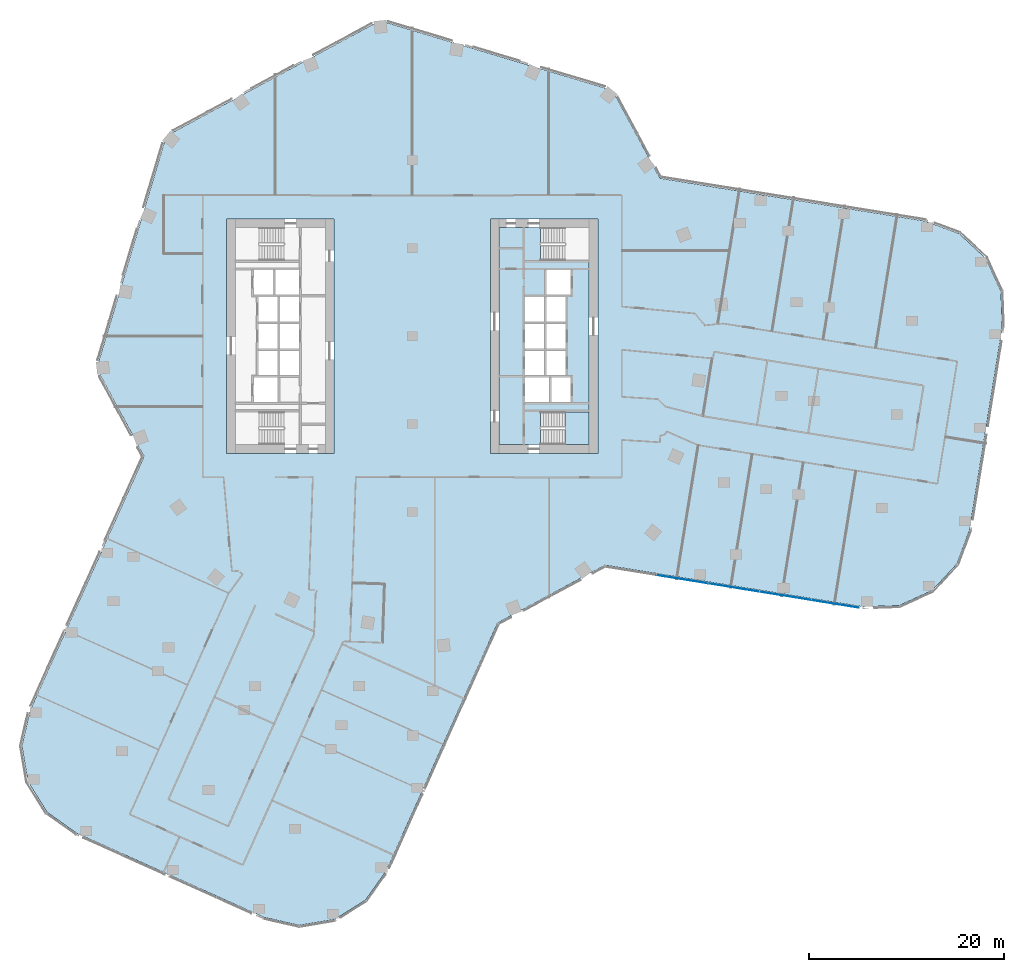
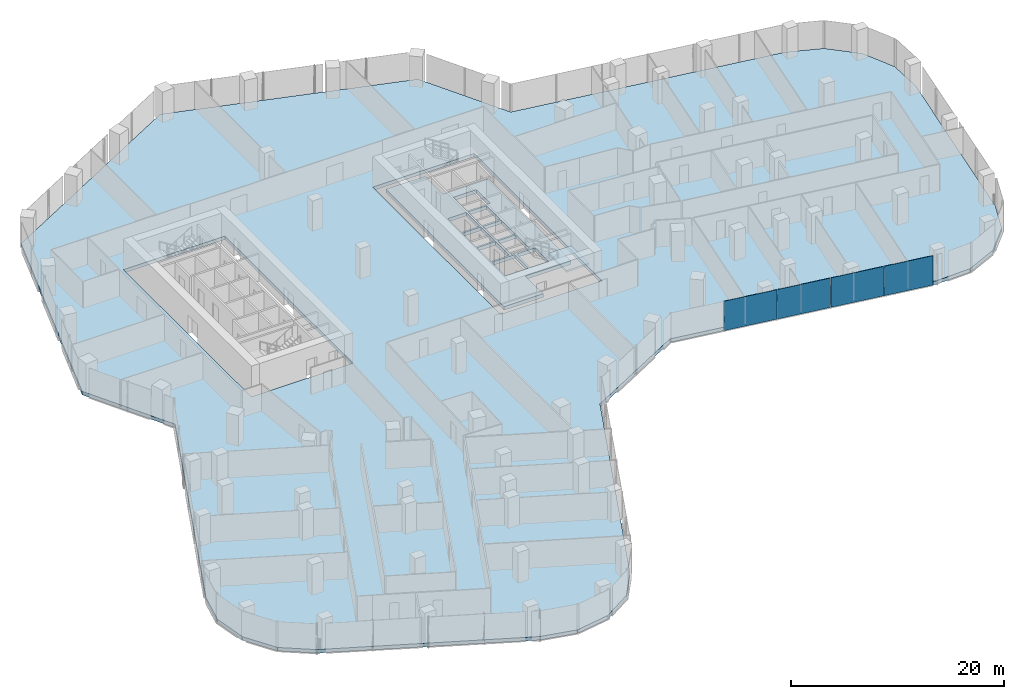
# One storey, part 21 of 34: 4 plates, 3 slabs, 2 elements without a shape of their own.
"""IFC4 building model written with IfcOpenShell, lengths in metres."""

from ifc_helpers import new_model, si_unit, direction, frame, origin, origin_2d, place, context, subcontext, project, spatial, polyline, rectangle, outline, extrude, material, layer, layer_set, type_object, element, aggregate, save


model = new_model("IFC4")

# Units and contexts
model_context = context("Model", 3, precision=1e-05, world=origin(), true_north=direction((0.0, 1.0)))
body_context = subcontext(model_context, "Body", "Model", "MODEL_VIEW")
ifc_project = project(units=[si_unit("LENGTHUNIT", "METRE"), si_unit("AREAUNIT", "SQUARE_METRE"), si_unit("VOLUMEUNIT", "CUBIC_METRE"), si_unit("PLANEANGLEUNIT", "RADIAN"), si_unit("MASSUNIT", "GRAM", prefix="KILO")], contexts=[model_context])

# Site, building, storey
site_placement = place(None, origin())
site = spatial("IfcSite", under=ifc_project, at=site_placement, CompositionType="ELEMENT")
building_placement = place(site_placement, origin())
building = spatial("IfcBuilding", under=site, at=building_placement, Name="Orlundy Tower", CompositionType="ELEMENT")
storey_placement = place(building_placement, frame((0.0, 0.0, 130.699951171875)))
storey = spatial("IfcBuildingStorey", under=building, at=storey_placement, Name="L33", CompositionType="ELEMENT", Elevation=130.699951171875)

# Curtain wall, plates
ifc_material_1 = material(Name="Aluminium bronze anodised", Category="aluminium")
curtain_wall_type = type_object("IfcCurtainWallType", Name="CW1 wall", PredefinedType="NOTDEFINED", material=ifc_material_1)
curtain_wall_placement = place(storey_placement, origin())
curtain_wall = element("IfcCurtainWall", 1, at=curtain_wall_placement, inside=storey, type_object=curtain_wall_type, Name="CW1 run 016", PredefinedType="NOTDEFINED")
ifc_material_2 = material(Name="Tinted glass", Category="glass")
ifc_layer_1 = layer(ifc_material_2, 0.031982421875)
ifc_layer_set_1 = layer_set([ifc_layer_1], Name="CW1 glass panel 32")
plate_type = type_object("IfcPlateType", Name="CW1 glass panel 32", PredefinedType="CURTAIN_PANEL", material=ifc_layer_set_1)
plate_1_placement = place(storey_placement, frame((43.31005859375, -27.413818359375, -0.27978515625), z_axis=(0.0, 0.0, 1.0), x_axis=(-0.987228432558, 0.159311085453, 0.0)))
plate_1 = element("IfcPlate", 2, at=plate_1_placement, type_object=plate_type, Name="CW1 panel", PredefinedType="CURTAIN_PANEL", context=body_context, shape_type="SweptSolid", body=[
    extrude(rectangle(XDim=4.91259765625, YDim=0.031982421875, at=origin_2d()), origin(), (0.0, 0.0, 1.0), 3.3798828125),
])
plate_2_placement = place(storey_placement, frame((38.21630859375, -26.591796875, -0.27978515625), z_axis=(0.0, 0.0, 1.0), x_axis=(-0.987228432558, 0.159311085453, 0.0)))
plate_2 = element("IfcPlate", 3, at=plate_2_placement, type_object=plate_type, Name="CW1 panel", PredefinedType="CURTAIN_PANEL", context=body_context, shape_type="SweptSolid", body=[
    extrude(rectangle(XDim=5.306884765625, YDim=0.031982421875, at=origin_2d()), origin(), (0.0, 0.0, 1.0), 3.3798828125),
])
plate_3_placement = place(storey_placement, frame((32.927978515625, -25.738525390625, -0.27978515625), z_axis=(0.0, 0.0, 1.0), x_axis=(-0.987228432558, 0.159311085453, 0.0)))
plate_3 = element("IfcPlate", 4, at=plate_3_placement, type_object=plate_type, Name="CW1 panel", PredefinedType="CURTAIN_PANEL", context=body_context, shape_type="SweptSolid", body=[
    extrude(rectangle(XDim=5.306884765625, YDim=0.031982421875, at=origin_2d()), origin(), (0.0, 0.0, 1.0), 3.3798828125),
])
plate_4_placement = place(storey_placement, frame((27.639404296875, -24.885009765625, -0.27978515625), z_axis=(0.0, 0.0, 1.0), x_axis=(-0.987228432558, 0.159311085453, 0.0)))
plate_4 = element("IfcPlate", 5, at=plate_4_placement, type_object=plate_type, Name="CW1 panel", PredefinedType="CURTAIN_PANEL", context=body_context, shape_type="SweptSolid", body=[
    extrude(rectangle(XDim=5.306884765625, YDim=0.031982421875, at=origin_2d()), origin(), (0.0, 0.0, 1.0), 3.3798828125),
])
aggregate(curtain_wall, [plate_1, plate_2, plate_3, plate_4])

# Slab
ifc_material_3 = material(Name="Concrete C50/60", Category="concrete")
ifc_layer_2 = layer(ifc_material_3, 0.409912109375)
ifc_layer_set_2 = layer_set([ifc_layer_2], Name="Core Floor Slab 410")
slab_type_1 = type_object("IfcSlabType", Name="Core Floor Slab 410", PredefinedType="FLOOR", material=ifc_layer_set_2)
slab_1_placement = place(storey_placement, frame((0.0, 0.0, -0.409912109375)))
element("IfcSlab", 6, at=slab_1_placement, inside=storey, type_object=slab_type_1, Name="Core floor E25", PredefinedType="FLOOR", context=body_context, shape_type="SweptSolid", body=[
    extrude(outline(polyline([(13.14501953125, -7.75), (13.14501953125, -11.10009765625), (8.89990234375, -11.10009765625), (8.89990234375, 11.10009765625), (13.14501953125, 11.10009765625), (13.14501953125, 7.75), (18.10009765625, 7.75), (18.10009765625, -7.75), (13.14501953125, -7.75)]), holes=[polyline([(16.239990234375, 6.77490234375), (13.739990234375, 6.77490234375), (13.739990234375, 4.22509765625), (16.239990234375, 4.22509765625), (16.239990234375, 6.77490234375)]), polyline([(13.5400390625, 1.47509765625), (13.5400390625, 4.02490234375), (11.5400390625, 4.02490234375), (11.5400390625, 1.47509765625), (13.5400390625, 1.47509765625)]), polyline([(13.739990234375, 1.47509765625), (15.739990234375, 1.47509765625), (15.739990234375, 4.02490234375), (13.739990234375, 4.02490234375), (13.739990234375, 1.47509765625)]), polyline([(11.5400390625, 1.27490234375), (11.5400390625, -1.27490234375), (13.5400390625, -1.27490234375), (13.5400390625, 1.27490234375), (11.5400390625, 1.27490234375)]), polyline([(15.739990234375, 1.27490234375), (13.739990234375, 1.27490234375), (13.739990234375, -1.27490234375), (15.739990234375, -1.27490234375), (15.739990234375, 1.27490234375)]), polyline([(13.5400390625, -4.02490234375), (13.5400390625, -1.47509765625), (11.5400390625, -1.47509765625), (11.5400390625, -4.02490234375), (13.5400390625, -4.02490234375)]), polyline([(13.739990234375, -4.02490234375), (15.739990234375, -4.02490234375), (15.739990234375, -1.47509765625), (13.739990234375, -1.47509765625), (13.739990234375, -4.02490234375)]), polyline([(11.5400390625, -4.22509765625), (11.5400390625, -6.77490234375), (14.0400390625, -6.77490234375), (14.0400390625, -4.22509765625), (11.5400390625, -4.22509765625)]), polyline([(16.239990234375, -4.22509765625), (14.239990234375, -4.22509765625), (14.239990234375, -6.77490234375), (16.239990234375, -6.77490234375), (16.239990234375, -4.22509765625)])]), origin(), (0.0, 0.0, 1.0), 0.409912109375),
])

# Stair, slab
ifc_material_4 = material(Name="Concrete C50/60", Category="concrete")
stair_type = type_object("IfcStairType", Name="Exit Stair 20 risers", PredefinedType="HALF_TURN_STAIR", material=ifc_material_4)
stair_placement = place(storey_placement, origin())
stair = element("IfcStair", 7, at=stair_placement, inside=storey, type_object=stair_type, Name="L33 Exit Stair ST-E1", PredefinedType="HALF_TURN_STAIR")
ifc_material_5 = material(Name="Concrete C50/60", Category="concrete")
ifc_layer_3 = layer(ifc_material_5, 0.199951171875)
ifc_layer_set_3 = layer_set([ifc_layer_3], Name="Exit Stair Landing")
slab_type_2 = type_object("IfcSlabType", Name="Exit Stair Landing", PredefinedType="LANDING", material=ifc_layer_set_3)
slab_2_placement = place(storey_placement, frame((0.0, 0.0, 1.550048828125)))
slab_2 = element("IfcSlab", 8, at=slab_2_placement, type_object=slab_type_2, Name="ST-E1 landing 1", PredefinedType="LANDING", context=body_context, shape_type="SweptSolid", body=[
    extrude(outline(polyline([(15.659912109375, -11.10009765625), (18.10009765625, -11.10009765625), (18.10009765625, -7.75), (15.659912109375, -7.75), (15.659912109375, -11.10009765625)])), origin(), (0.0, 0.0, 1.0), 0.199951171875),
])
aggregate(stair, [slab_2])

# Slab
ifc_material_6 = material(Name="Concrete C45/55", Category="concrete")
ifc_layer_4 = layer(ifc_material_6, 0.39990234375)
ifc_layer_set_4 = layer_set([ifc_layer_4], Name="FLOOR SLAB THICK 400 C45/55")
slab_type_3 = type_object("IfcSlabType", Name="FLOOR SLAB THICK 400 C45/55", PredefinedType="FLOOR", material=ifc_layer_set_4)
slab_3_placement = place(storey_placement, frame((0.0, 0.0, -0.39990234375)))
element("IfcSlab", 9, at=slab_3_placement, inside=storey, type_object=slab_type_3, Name="Floor slab L33", PredefinedType="FLOOR", context=body_context, shape_type="SweptSolid", body=[
    extrude(outline(polyline([(-27.445068359375, -12.31103515625), (-32.303955078125, -3.300048828125), (-25.176025390625, 20.508056640625), (-3.300048828125, 32.303955078125), (20.508056640625, 25.176025390625), (25.366943359375, 16.1650390625), (52.548095703125, 11.779052734375), (56.02099609375, 10.486083984375), (58.736083984375, 7.9619140625), (60.278076171875, 4.591064453125), (60.4130859375, 0.886962890625), (57.06689453125, -19.844970703125), (55.77392578125, -23.319091796875), (53.25, -26.032958984375), (49.8798828125, -27.574951171875), (46.175048828125, -27.7099609375), (19.73291015625, -23.443115234375), (8.742919921875, -29.368896484375), (-2.632080078125, -54.718017578125), (-4.780029296875, -57.739013671875), (-7.9208984375, -59.7080078125), (-11.575927734375, -60.324951171875), (-15.18798828125, -59.49609375), (-34.347900390625, -50.89892578125), (-37.368896484375, -48.7509765625), (-39.337890625, -45.610107421875), (-39.955078125, -41.955078125), (-39.1259765625, -38.342041015625), (-27.445068359375, -12.31103515625)]), holes=[polyline([(-8.0, -12.0), (-8.0, 12.0), (-19.0, 12.0), (-19.0, -12.0), (-8.0, -12.0)]), polyline([(19.0, -12.0), (19.0, 12.0), (8.0, 12.0), (8.0, -12.0), (19.0, -12.0)])]), origin(), (0.0, 0.0, 1.0), 0.39990234375),
])

save(model, "model.ifc")
